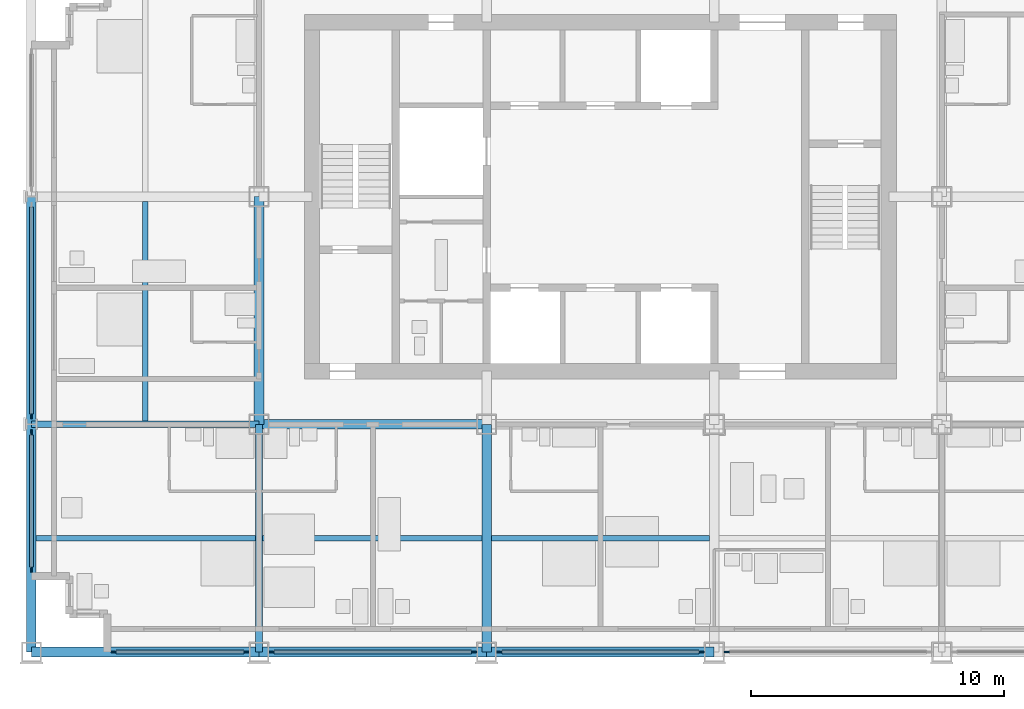
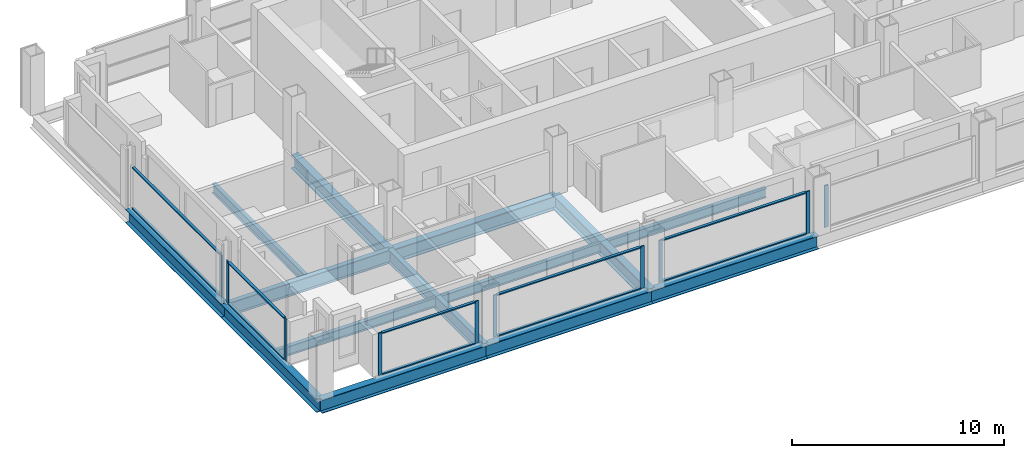
# One storey, part 2 of 13: 20 members, 14 beams, 6 elements without a shape of their own.
"""IFC4 building model written with IfcOpenShell, lengths in metres."""

from ifc_helpers import new_model, si_unit, direction, frame, origin, origin_2d, place, context, subcontext, project, spatial, rectangle, i_section, extrude, material, material_profile, profile_set, type_object, element, aggregate, save


model = new_model("IFC4")

# Units and contexts
model_context = context("Model", 3, precision=1e-05, world=origin(), true_north=direction((0.0, 1.0)))
body_context = subcontext(model_context, "Body", "Model", "MODEL_VIEW")
ifc_project = project(units=[si_unit("LENGTHUNIT", "METRE"), si_unit("AREAUNIT", "SQUARE_METRE"), si_unit("VOLUMEUNIT", "CUBIC_METRE"), si_unit("PLANEANGLEUNIT", "RADIAN"), si_unit("MASSUNIT", "GRAM", prefix="KILO")], contexts=[model_context])

# Site, building, storey
site_placement = place(None, origin())
site = spatial("IfcSite", under=ifc_project, at=site_placement, CompositionType="ELEMENT")
building_placement = place(site_placement, origin())
building = spatial("IfcBuilding", under=site, at=building_placement, Name="Loomwork Tower", CompositionType="ELEMENT")
storey_placement = place(building_placement, frame((0.0, 0.0, 204.60009765625)))
storey = spatial("IfcBuildingStorey", under=building, at=storey_placement, Name="L56", CompositionType="ELEMENT", Elevation=204.60009765625)

# Beams
ifc_material_1 = material(Name="Steel ASTM A992", Category="steel")
ifc_material_profile_1 = material_profile(ifc_material_1, i_section(OverallWidth=0.383544921875, OverallDepth=0.794921875, WebThickness=0.02099609375, FlangeThickness=0.0380859375, at=origin_2d()), Name="W30x235")
ifc_profile_set_1 = profile_set([ifc_material_profile_1], Name="Steel ASTM A992")
beam_type_1 = type_object("IfcBeamType", Name="CORE FLANK GIRDER W30x235", PredefinedType="BEAM", material=ifc_profile_set_1)
for number, where, z_axis, x_axis, name in (
    (1, (9.0, 9.0, -0.59765625), (1.0, 0.0, 0.0), (0.0, 1.0, 0.0), "Core Flank Girder E/3-E/4 L56"),
    (2, (9.0, 9.0, -0.59765625), (0.0, 1.0, 0.0), (-1.0, 0.0, 0.0), "Core Flank Girder E/3-F/3 L56"),
    (3, (18.0, 0.0, -0.59765625), (0.0, 1.0, 0.0), (-1.0, 0.0, 0.0), "Core Flank Girder D/4-E/4 L56"),
):
    element("IfcBeam", number, at=place(storey_placement, frame(where, z_axis=z_axis, x_axis=x_axis)), inside=storey, type_object=beam_type_1, Name=name, PredefinedType="BEAM", context=body_context, shape_type="SweptSolid", body=[
        extrude(i_section(OverallWidth=0.383544921875, OverallDepth=0.794921875, WebThickness=0.02099609375, FlangeThickness=0.0380859375, at=origin_2d()), origin(), (0.0, 0.0, 1.0), 9.0),
    ])
ifc_material_2 = material(Name="Steel ASTM A992", Category="steel")
ifc_material_profile_2 = material_profile(ifc_material_2, i_section(OverallWidth=0.2666015625, OverallDepth=0.761962890625, WebThickness=0.014404296875, FlangeThickness=0.021484375, at=origin_2d()), Name="W30x116")
ifc_profile_set_2 = profile_set([ifc_material_profile_2], Name="Steel ASTM A992")
beam_type_2 = type_object("IfcBeamType", Name="FLOOR GIRDER W30x116", PredefinedType="BEAM", material=ifc_profile_set_2)
for number, where, z_axis, x_axis, name in (
    (4, (0.0, 9.0, -0.5810546875), (1.0, 0.0, 0.0), (0.0, 1.0, 0.0), "Floor Girder E/2-E/3 L56"),
    (5, (9.0, 0.0, -0.5810546875), (0.0, 1.0, 0.0), (-1.0, 0.0, 0.0), "Floor Girder D/3-E/3 L56"),
):
    element("IfcBeam", number, at=place(storey_placement, frame(where, z_axis=z_axis, x_axis=x_axis)), inside=storey, type_object=beam_type_2, Name=name, PredefinedType="BEAM", context=body_context, shape_type="SweptSolid", body=[
        extrude(i_section(OverallWidth=0.2666015625, OverallDepth=0.761962890625, WebThickness=0.014404296875, FlangeThickness=0.021484375, at=origin_2d()), origin(), (0.0, 0.0, 1.0), 9.0),
    ])
ifc_material_3 = material(Name="Steel ASTM A992", Category="steel")
ifc_material_profile_3 = material_profile(ifc_material_3, i_section(OverallWidth=0.2109375, OverallDepth=0.53857421875, WebThickness=0.011474609375, FlangeThickness=0.018798828125, at=origin_2d()), Name="W21x73")
ifc_profile_set_3 = profile_set([ifc_material_profile_3], Name="Steel ASTM A992")
beam_type_3 = type_object("IfcBeamType", Name="FLOOR JOIST W21x73", PredefinedType="JOIST", material=ifc_profile_set_3)
beam_1_placement = place(storey_placement, frame((0.18994140625, 4.5, -0.46923828125), z_axis=(1.0, 0.0, 0.0), x_axis=(0.0, 1.0, 0.0)))
element("IfcBeam", 6, at=beam_1_placement, inside=storey, type_object=beam_type_3, Name="Floor Joist 0.000,4.500-9.000,4.500 L56", PredefinedType="JOIST", context=body_context, shape_type="SweptSolid", body=[
    extrude(i_section(OverallWidth=0.2109375, OverallDepth=0.53857421875, WebThickness=0.011474609375, FlangeThickness=0.018798828125, at=origin_2d()), origin(), (0.0, 0.0, 1.0), 8.677001953125),
])
for number, where, z_axis, x_axis, name in (
    (7, (4.5, 9.133056640625, -0.46923828125), (0.0, 1.0, 0.0), (-1.0, 0.0, 0.0), "Floor Joist 4.500,9.000-4.500,18.000 L56"),
    (8, (9.133056640625, 4.5, -0.46923828125), (1.0, 0.0, 0.0), (0.0, 1.0, 0.0), "Floor Joist 9.000,4.500-18.000,4.500 L56"),
):
    element("IfcBeam", number, at=place(storey_placement, frame(where, z_axis=z_axis, x_axis=x_axis)), inside=storey, type_object=beam_type_3, Name=name, PredefinedType="JOIST", context=body_context, shape_type="SweptSolid", body=[
        extrude(i_section(OverallWidth=0.2109375, OverallDepth=0.53857421875, WebThickness=0.011474609375, FlangeThickness=0.018798828125, at=origin_2d()), origin(), (0.0, 0.0, 1.0), 8.676025390625),
    ])
beam_2_placement = place(storey_placement, frame((18.19091796875, 4.5, -0.46923828125), z_axis=(1.0, 0.0, 0.0), x_axis=(0.0, 1.0, 0.0)))
element("IfcBeam", 9, at=beam_2_placement, inside=storey, type_object=beam_type_3, Name="Floor Joist 18.000,4.500-27.000,4.500 L56", PredefinedType="JOIST", context=body_context, shape_type="SweptSolid", body=[
    extrude(i_section(OverallWidth=0.2109375, OverallDepth=0.53857421875, WebThickness=0.011474609375, FlangeThickness=0.018798828125, at=origin_2d()), origin(), (0.0, 0.0, 1.0), 8.6181640625),
])

# Curtain wall, members
ifc_material_4 = material(Name="Aluminium curtain wall frame", Category="aluminium")
curtain_wall_type = type_object("IfcCurtainWallType", Name="Outer skin glazing hotel", PredefinedType="NOTDEFINED", material=ifc_material_4)
curtain_wall_1_placement = place(storey_placement, origin())
curtain_wall_1 = element("IfcCurtainWall", 10, at=curtain_wall_1_placement, inside=storey, type_object=curtain_wall_type, Name="Outer skin glazing hotel cw/S-0", PredefinedType="NOTDEFINED")
ifc_material_5 = material(Name="Aluminium curtain wall frame", Category="aluminium")
ifc_material_profile_4 = material_profile(ifc_material_5, rectangle(XDim=0.06494140625, YDim=0.199951171875, at=origin_2d()), Name="AL 65x200")
ifc_profile_set_4 = profile_set([ifc_material_profile_4], Name="Aluminium curtain wall frame")
member_type_1 = type_object("IfcMemberType", Name="Outer skin glazing hotel mullion", PredefinedType="MULLION", material=ifc_profile_set_4)
member_1_placement = place(storey_placement, frame((3.25, 0.0, 0.0), z_axis=(0.0, 0.0, 1.0), x_axis=(0.0, 1.0, 0.0)))
member_1 = element("IfcMember", 11, at=member_1_placement, type_object=member_type_1, Name="CW1 mullion 1", PredefinedType="MULLION", context=body_context, shape_type="SweptSolid", body=[
    extrude(rectangle(XDim=0.06494140625, YDim=0.199951171875, at=origin_2d()), origin(), (0.0, 0.0, 1.0), 2.420166015625),
])
member_2_placement = place(storey_placement, frame((8.5, 0.0, 0.0), z_axis=(0.0, 0.0, 1.0), x_axis=(0.0, 1.0, 0.0)))
member_2 = element("IfcMember", 12, at=member_2_placement, type_object=member_type_1, Name="CW1 mullion 2", PredefinedType="MULLION", context=body_context, shape_type="SweptSolid", body=[
    extrude(rectangle(XDim=0.06494140625, YDim=0.199951171875, at=origin_2d()), origin(), (0.0, 0.0, 1.0), 2.420166015625),
])

curtain_wall_2_placement = place(storey_placement, origin())
curtain_wall_2 = element("IfcCurtainWall", 13, at=curtain_wall_2_placement, inside=storey, type_object=curtain_wall_type, Name="Outer skin glazing hotel cw/S-9", PredefinedType="NOTDEFINED")
member_3_placement = place(storey_placement, frame((9.5, 0.0, 0.0), z_axis=(0.0, 0.0, 1.0), x_axis=(0.0, 1.0, 0.0)))
member_3 = element("IfcMember", 14, at=member_3_placement, type_object=member_type_1, Name="CW1 mullion 1", PredefinedType="MULLION", context=body_context, shape_type="SweptSolid", body=[
    extrude(rectangle(XDim=0.06494140625, YDim=0.199951171875, at=origin_2d()), origin(), (0.0, 0.0, 1.0), 2.420166015625),
])
member_4_placement = place(storey_placement, frame((17.5, 0.0, 0.0), z_axis=(0.0, 0.0, 1.0), x_axis=(0.0, 1.0, 0.0)))
member_4 = element("IfcMember", 15, at=member_4_placement, type_object=member_type_1, Name="CW1 mullion 2", PredefinedType="MULLION", context=body_context, shape_type="SweptSolid", body=[
    extrude(rectangle(XDim=0.06494140625, YDim=0.199951171875, at=origin_2d()), origin(), (0.0, 0.0, 1.0), 2.420166015625),
])

curtain_wall_3_placement = place(storey_placement, origin())
curtain_wall_3 = element("IfcCurtainWall", 16, at=curtain_wall_3_placement, inside=storey, type_object=curtain_wall_type, Name="Outer skin glazing hotel cw/S-18", PredefinedType="NOTDEFINED")
member_5_placement = place(storey_placement, frame((18.5, 0.0, 0.0), z_axis=(0.0, 0.0, 1.0), x_axis=(0.0, 1.0, 0.0)))
member_5 = element("IfcMember", 17, at=member_5_placement, type_object=member_type_1, Name="CW1 mullion 1", PredefinedType="MULLION", context=body_context, shape_type="SweptSolid", body=[
    extrude(rectangle(XDim=0.06494140625, YDim=0.199951171875, at=origin_2d()), origin(), (0.0, 0.0, 1.0), 2.420166015625),
])
member_6_placement = place(storey_placement, frame((26.5, 0.0, 0.0), z_axis=(0.0, 0.0, 1.0), x_axis=(0.0, 1.0, 0.0)))
member_6 = element("IfcMember", 18, at=member_6_placement, type_object=member_type_1, Name="CW1 mullion 2", PredefinedType="MULLION", context=body_context, shape_type="SweptSolid", body=[
    extrude(rectangle(XDim=0.06494140625, YDim=0.199951171875, at=origin_2d()), origin(), (0.0, 0.0, 1.0), 2.420166015625),
])

# Curtain wall, member
curtain_wall_4_placement = place(storey_placement, origin())
curtain_wall_4 = element("IfcCurtainWall", 19, at=curtain_wall_4_placement, inside=storey, type_object=curtain_wall_type, Name="Outer skin glazing hotel cw/S-27", PredefinedType="NOTDEFINED")
member_7_placement = place(storey_placement, frame((27.5, 0.0, 0.0), z_axis=(0.0, 0.0, 1.0), x_axis=(0.0, 1.0, 0.0)))
member_7 = element("IfcMember", 20, at=member_7_placement, type_object=member_type_1, Name="CW1 mullion 1", PredefinedType="MULLION", context=body_context, shape_type="SweptSolid", body=[
    extrude(rectangle(XDim=0.06494140625, YDim=0.199951171875, at=origin_2d()), origin(), (0.0, 0.0, 1.0), 2.420166015625),
])
aggregate(curtain_wall_4, [member_7])

# Curtain wall, members
curtain_wall_5_placement = place(storey_placement, origin())
curtain_wall_5 = element("IfcCurtainWall", 21, at=curtain_wall_5_placement, inside=storey, type_object=curtain_wall_type, Name="Outer skin glazing hotel cw/W-0", PredefinedType="NOTDEFINED")
member_8_placement = place(storey_placement, frame((0.0, 8.6865234375, 0.0), z_axis=(0.0, 0.0, 1.0), x_axis=(1.0, 0.0, 0.0)))
member_8 = element("IfcMember", 22, at=member_8_placement, type_object=member_type_1, Name="CW1 mullion 1", PredefinedType="MULLION", context=body_context, shape_type="SweptSolid", body=[
    extrude(rectangle(XDim=0.06494140625, YDim=0.199951171875, at=origin_2d()), origin(), (0.0, 0.0, 1.0), 2.420166015625),
])
member_9_placement = place(storey_placement, frame((0.0, 3.25, 0.0), z_axis=(0.0, 0.0, 1.0), x_axis=(1.0, 0.0, 0.0)))
member_9 = element("IfcMember", 23, at=member_9_placement, type_object=member_type_1, Name="CW1 mullion 2", PredefinedType="MULLION", context=body_context, shape_type="SweptSolid", body=[
    extrude(rectangle(XDim=0.06494140625, YDim=0.199951171875, at=origin_2d()), origin(), (0.0, 0.0, 1.0), 2.420166015625),
])

# Curtain wall, member
curtain_wall_6_placement = place(storey_placement, origin())
curtain_wall_6 = element("IfcCurtainWall", 24, at=curtain_wall_6_placement, inside=storey, type_object=curtain_wall_type, Name="Outer skin glazing hotel cw/W-9", PredefinedType="NOTDEFINED")
member_10_placement = place(storey_placement, frame((0.0, 9.3134765625, 0.0), z_axis=(0.0, 0.0, 1.0), x_axis=(1.0, 0.0, 0.0)))
member_10 = element("IfcMember", 25, at=member_10_placement, type_object=member_type_1, Name="CW1 mullion 2", PredefinedType="MULLION", context=body_context, shape_type="SweptSolid", body=[
    extrude(rectangle(XDim=0.06494140625, YDim=0.199951171875, at=origin_2d()), origin(), (0.0, 0.0, 1.0), 2.420166015625),
])

# Member
ifc_material_6 = material(Name="Aluminium curtain wall frame", Category="aluminium")
ifc_material_profile_5 = material_profile(ifc_material_6, rectangle(XDim=0.14990234375, YDim=0.06494140625, at=origin_2d()), Name="AL 65x150")
ifc_profile_set_5 = profile_set([ifc_material_profile_5], Name="Aluminium curtain wall frame")
member_type_2 = type_object("IfcMemberType", Name="Outer skin glazing hotel transom", PredefinedType="USERDEFINED", material=ifc_profile_set_5)
member_11_placement = place(storey_placement, frame((3.35009765625, 0.0, 0.032470703125), z_axis=(1.0, 0.0, 0.0), x_axis=(0.0, 1.0, 0.0)))
member_11 = element("IfcMember", 26, at=member_11_placement, type_object=member_type_2, Name="CW1 transom 1.1", ObjectType="TRANSOM", PredefinedType="USERDEFINED", context=body_context, shape_type="SweptSolid", body=[
    extrude(rectangle(XDim=0.14990234375, YDim=0.06494140625, at=origin_2d()), origin(), (0.0, 0.0, 1.0), 5.0498046875),
])

member_12_placement = place(storey_placement, frame((3.35009765625, 0.0, 2.3876953125), z_axis=(1.0, 0.0, 0.0), x_axis=(0.0, 1.0, 0.0)))
member_12 = element("IfcMember", 27, at=member_12_placement, type_object=member_type_2, Name="CW1 transom 1.2", ObjectType="TRANSOM", PredefinedType="USERDEFINED", context=body_context, shape_type="SweptSolid", body=[
    extrude(rectangle(XDim=0.14990234375, YDim=0.06494140625, at=origin_2d()), origin(), (0.0, 0.0, 1.0), 5.0498046875),
])

aggregate(curtain_wall_1, [member_1, member_2, member_11, member_12])

member_13_placement = place(storey_placement, frame((9.60009765625, 0.0, 0.032470703125), z_axis=(1.0, 0.0, 0.0), x_axis=(0.0, 1.0, 0.0)))
member_13 = element("IfcMember", 28, at=member_13_placement, type_object=member_type_2, Name="CW1 transom 1.1", ObjectType="TRANSOM", PredefinedType="USERDEFINED", context=body_context, shape_type="SweptSolid", body=[
    extrude(rectangle(XDim=0.14990234375, YDim=0.06494140625, at=origin_2d()), origin(), (0.0, 0.0, 1.0), 7.7998046875),
])

member_14_placement = place(storey_placement, frame((9.60009765625, 0.0, 2.3876953125), z_axis=(1.0, 0.0, 0.0), x_axis=(0.0, 1.0, 0.0)))
member_14 = element("IfcMember", 29, at=member_14_placement, type_object=member_type_2, Name="CW1 transom 1.2", ObjectType="TRANSOM", PredefinedType="USERDEFINED", context=body_context, shape_type="SweptSolid", body=[
    extrude(rectangle(XDim=0.14990234375, YDim=0.06494140625, at=origin_2d()), origin(), (0.0, 0.0, 1.0), 7.7998046875),
])

aggregate(curtain_wall_2, [member_3, member_4, member_13, member_14])

member_15_placement = place(storey_placement, frame((18.60009765625, 0.0, 0.032470703125), z_axis=(1.0, 0.0, 0.0), x_axis=(0.0, 1.0, 0.0)))
member_15 = element("IfcMember", 30, at=member_15_placement, type_object=member_type_2, Name="CW1 transom 1.1", ObjectType="TRANSOM", PredefinedType="USERDEFINED", context=body_context, shape_type="SweptSolid", body=[
    extrude(rectangle(XDim=0.14990234375, YDim=0.06494140625, at=origin_2d()), origin(), (0.0, 0.0, 1.0), 7.7998046875),
])

member_16_placement = place(storey_placement, frame((18.60009765625, 0.0, 2.3876953125), z_axis=(1.0, 0.0, 0.0), x_axis=(0.0, 1.0, 0.0)))
member_16 = element("IfcMember", 31, at=member_16_placement, type_object=member_type_2, Name="CW1 transom 1.2", ObjectType="TRANSOM", PredefinedType="USERDEFINED", context=body_context, shape_type="SweptSolid", body=[
    extrude(rectangle(XDim=0.14990234375, YDim=0.06494140625, at=origin_2d()), origin(), (0.0, 0.0, 1.0), 7.7998046875),
])

aggregate(curtain_wall_3, [member_5, member_6, member_15, member_16])

member_17_placement = place(storey_placement, frame((0.0, 8.586669921875, 0.032470703125), z_axis=(0.0, -1.0, 0.0), x_axis=(1.0, 0.0, 0.0)))
member_17 = element("IfcMember", 32, at=member_17_placement, type_object=member_type_2, Name="CW1 transom 1.1", ObjectType="TRANSOM", PredefinedType="USERDEFINED", context=body_context, shape_type="SweptSolid", body=[
    extrude(rectangle(XDim=0.14990234375, YDim=0.06494140625, at=origin_2d()), origin(), (0.0, 0.0, 1.0), 5.236572265625),
])

member_18_placement = place(storey_placement, frame((0.0, 8.586669921875, 2.3876953125), z_axis=(0.0, -1.0, 0.0), x_axis=(1.0, 0.0, 0.0)))
member_18 = element("IfcMember", 33, at=member_18_placement, type_object=member_type_2, Name="CW1 transom 1.2", ObjectType="TRANSOM", PredefinedType="USERDEFINED", context=body_context, shape_type="SweptSolid", body=[
    extrude(rectangle(XDim=0.14990234375, YDim=0.06494140625, at=origin_2d()), origin(), (0.0, 0.0, 1.0), 5.236572265625),
])

aggregate(curtain_wall_5, [member_8, member_9, member_17, member_18])

member_19_placement = place(storey_placement, frame((0.0, 17.586669921875, 0.032470703125), z_axis=(0.0, -1.0, 0.0), x_axis=(1.0, 0.0, 0.0)))
member_19 = element("IfcMember", 34, at=member_19_placement, type_object=member_type_2, Name="CW1 transom 1.1", ObjectType="TRANSOM", PredefinedType="USERDEFINED", context=body_context, shape_type="SweptSolid", body=[
    extrude(rectangle(XDim=0.14990234375, YDim=0.06494140625, at=origin_2d()), origin(), (0.0, 0.0, 1.0), 8.17333984375),
])

member_20_placement = place(storey_placement, frame((0.0, 17.586669921875, 2.3876953125), z_axis=(0.0, -1.0, 0.0), x_axis=(1.0, 0.0, 0.0)))
member_20 = element("IfcMember", 35, at=member_20_placement, type_object=member_type_2, Name="CW1 transom 1.2", ObjectType="TRANSOM", PredefinedType="USERDEFINED", context=body_context, shape_type="SweptSolid", body=[
    extrude(rectangle(XDim=0.14990234375, YDim=0.06494140625, at=origin_2d()), origin(), (0.0, 0.0, 1.0), 8.17333984375),
])

aggregate(curtain_wall_6, [member_10, member_19, member_20])

# Beams
ifc_material_7 = material(Name="Steel ASTM A992", Category="steel")
ifc_material_profile_6 = material_profile(ifc_material_7, i_section(OverallWidth=0.381103515625, OverallDepth=0.77978515625, WebThickness=0.01806640625, FlangeThickness=0.0302734375, at=origin_2d()), Name="W30x191")
ifc_profile_set_6 = profile_set([ifc_material_profile_6], Name="Steel ASTM A992")
beam_type_4 = type_object("IfcBeamType", Name="SPANDREL GIRDER W30x191", PredefinedType="SPANDREL", material=ifc_profile_set_6)
for number, where, z_axis, x_axis, name in (
    (36, (0.0, 0.0, -0.590087890625), (1.0, 0.0, 0.0), (0.0, 1.0, 0.0), "Spandrel Girder D/2-D/3 L56"),
    (37, (9.0, 0.0, -0.590087890625), (1.0, 0.0, 0.0), (0.0, 1.0, 0.0), "Spandrel Girder D/3-D/4 L56"),
    (38, (18.0, 0.0, -0.590087890625), (1.0, 0.0, 0.0), (0.0, 1.0, 0.0), "Spandrel Girder D/4-D/5 L56"),
    (39, (0.0, 0.0, -0.590087890625), (0.0, 1.0, 0.0), (-1.0, 0.0, 0.0), "Spandrel Girder D/2-E/2 L56"),
    (40, (0.0, 9.0, -0.590087890625), (0.0, 1.0, 0.0), (-1.0, 0.0, 0.0), "Spandrel Girder E/2-F/2 L56"),
):
    element("IfcBeam", number, at=place(storey_placement, frame(where, z_axis=z_axis, x_axis=x_axis)), inside=storey, type_object=beam_type_4, Name=name, PredefinedType="SPANDREL", context=body_context, shape_type="SweptSolid", body=[
        extrude(i_section(OverallWidth=0.381103515625, OverallDepth=0.77978515625, WebThickness=0.01806640625, FlangeThickness=0.0302734375, at=origin_2d()), origin(), (0.0, 0.0, 1.0), 9.0),
    ])

save(model, "model.ifc")
